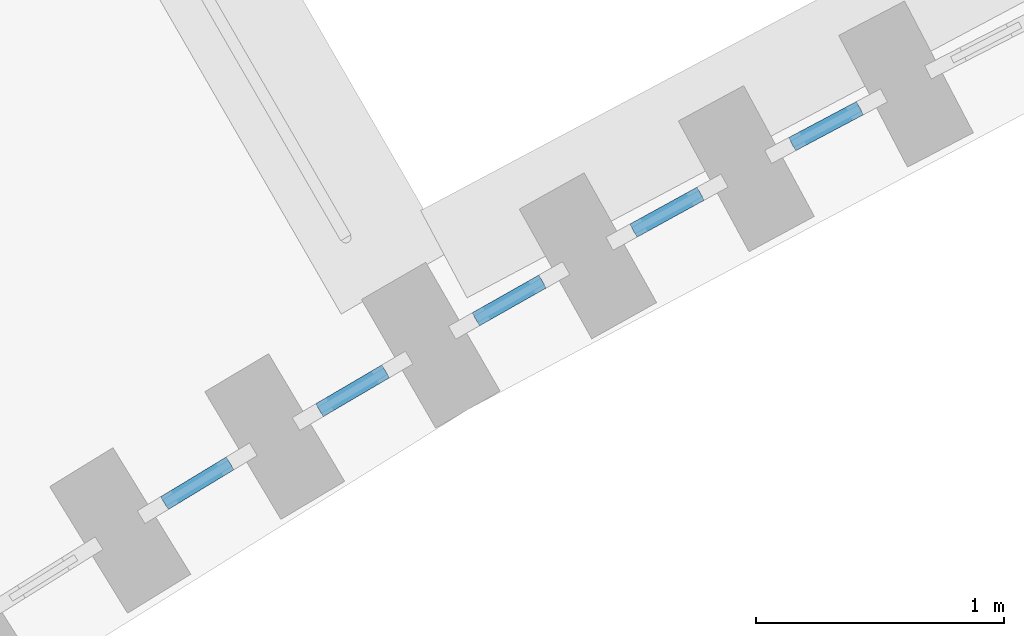
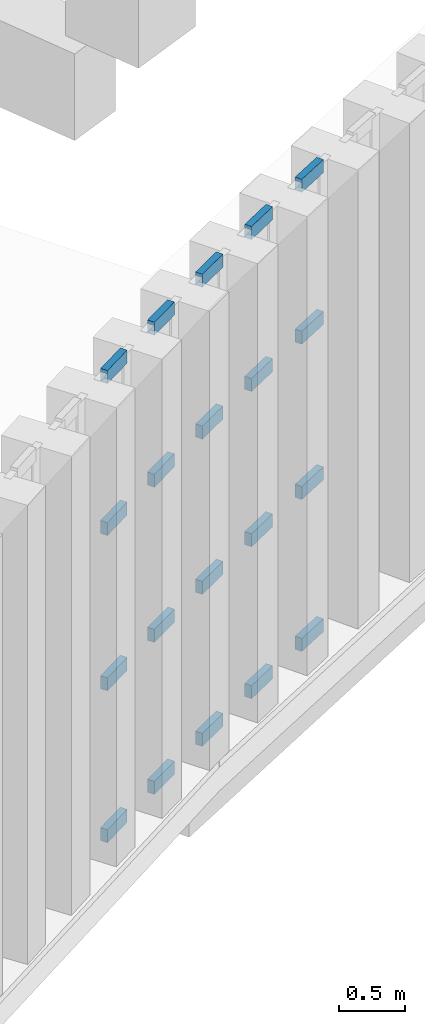
# One storey, part 31 of 112: 20 members, 5 elements without a shape of their own.
"""IFC4 building model written with IfcOpenShell, lengths in metres."""

from ifc_helpers import new_model, si_unit, direction, frame, origin, origin_2d, place, context, subcontext, project, spatial, rectangle, extrude, material, layer, layer_set, material_profile, profile_set, type_object, element, aggregate, save


model = new_model("IFC4")

# Units and contexts
model_context = context("Model", 3, precision=1e-05, world=origin(), true_north=direction((0.0, 1.0)))
body_context = subcontext(model_context, "Body", "Model", "MODEL_VIEW")
ifc_project = project(units=[si_unit("LENGTHUNIT", "METRE"), si_unit("AREAUNIT", "SQUARE_METRE"), si_unit("VOLUMEUNIT", "CUBIC_METRE"), si_unit("PLANEANGLEUNIT", "RADIAN"), si_unit("MASSUNIT", "GRAM", prefix="KILO")], contexts=[model_context])

# Site, building, storey
site_placement = place(None, origin())
site = spatial("IfcSite", under=ifc_project, at=site_placement, CompositionType="ELEMENT")
building_placement = place(site_placement, origin())
building = spatial("IfcBuilding", under=site, at=building_placement, Name="Lunette Opera House", CompositionType="ELEMENT")
storey_placement = place(building_placement, frame((0.0, 0.0, 6.0)))
storey = spatial("IfcBuildingStorey", under=building, at=storey_placement, Name="L01", CompositionType="ELEMENT", Elevation=6.0)

# Curtain wall, members
ifc_material_1 = material(Name="Aluminium", Category="aluminium")
ifc_layer = layer(ifc_material_1, 0.1201171875)
ifc_layer_set = layer_set([ifc_layer], Name="Aluminium")
curtain_wall_type = type_object("IfcCurtainWallType", Name="SLOT CURTAIN WALL", PredefinedType="NOTDEFINED", material=ifc_layer_set)
curtain_wall_1_placement = place(storey_placement, origin())
curtain_wall_1 = element("IfcCurtainWall", 1, at=curtain_wall_1_placement, inside=storey, type_object=curtain_wall_type, Name="Slot Curtain Wall CS014 L01", PredefinedType="NOTDEFINED")
ifc_material_2 = material(Name="Aluminium", Category="aluminium")
ifc_material_profile = material_profile(ifc_material_2, rectangle(XDim=0.06005859375, YDim=0.1201171875, at=origin_2d()), Name="TRANSOM 60 X 120")
ifc_profile_set = profile_set([ifc_material_profile], Name="Aluminium")
member_type = type_object("IfcMemberType", Name="TRANSOM 60 X 120", PredefinedType="USERDEFINED", material=ifc_profile_set)
member_1_placement = place(storey_placement, frame((68.7744140625, 44.655029296875, 0.030029296875), z_axis=(0.855123856729, 0.518423754908, 0.0), x_axis=(-0.518423754908, 0.855123856729, 0.0)))
member_1 = element("IfcMember", 2, at=member_1_placement, type_object=member_type, Name="FC-X2028 transom 1.1", ObjectType="TRANSOM", PredefinedType="USERDEFINED", context=body_context, shape_type="SweptSolid", body=[
    extrude(rectangle(XDim=0.06005859375, YDim=0.1201171875, at=origin_2d()), origin(), (0.0, 0.0, 1.0), 0.310302734375),
])
member_2_placement = place(storey_placement, frame((68.7744140625, 44.655029296875, 1.43310546875), z_axis=(0.855123856729, 0.518423754908, 0.0), x_axis=(-0.518423754908, 0.855123856729, 0.0)))
member_2 = element("IfcMember", 3, at=member_2_placement, type_object=member_type, Name="FC-X2028 transom 1.2", ObjectType="TRANSOM", PredefinedType="USERDEFINED", context=body_context, shape_type="SweptSolid", body=[
    extrude(rectangle(XDim=0.06005859375, YDim=0.1201171875, at=origin_2d()), origin(), (0.0, 0.0, 1.0), 0.310302734375),
])
member_3_placement = place(storey_placement, frame((68.7744140625, 44.655029296875, 2.866943359375), z_axis=(0.855123856729, 0.518423754908, 0.0), x_axis=(-0.518423754908, 0.855123856729, 0.0)))
member_3 = element("IfcMember", 4, at=member_3_placement, type_object=member_type, Name="FC-X2028 transom 1.3", ObjectType="TRANSOM", PredefinedType="USERDEFINED", context=body_context, shape_type="SweptSolid", body=[
    extrude(rectangle(XDim=0.06005859375, YDim=0.1201171875, at=origin_2d()), origin(), (0.0, 0.0, 1.0), 0.310302734375),
])
member_4_placement = place(storey_placement, frame((68.7744140625, 44.655029296875, 4.27001953125), z_axis=(0.855123856729, 0.518423754908, 0.0), x_axis=(-0.518423754908, 0.855123856729, 0.0)))
member_4 = element("IfcMember", 5, at=member_4_placement, type_object=member_type, Name="FC-X2028 transom 1.4", ObjectType="TRANSOM", PredefinedType="USERDEFINED", context=body_context, shape_type="SweptSolid", body=[
    extrude(rectangle(XDim=0.06005859375, YDim=0.1201171875, at=origin_2d()), origin(), (0.0, 0.0, 1.0), 0.310302734375),
])
aggregate(curtain_wall_1, [member_1, member_2, member_3, member_4])

curtain_wall_2_placement = place(storey_placement, origin())
curtain_wall_2 = element("IfcCurtainWall", 6, at=curtain_wall_2_placement, inside=storey, type_object=curtain_wall_type, Name="Slot Curtain Wall CS015 L01", PredefinedType="NOTDEFINED")
member_5_placement = place(storey_placement, frame((69.400634765625, 45.030517578125, 0.030029296875), z_axis=(0.862520326082, 0.506022417583, 0.0), x_axis=(-0.506022417583, 0.862520326082, 0.0)))
member_5 = element("IfcMember", 7, at=member_5_placement, type_object=member_type, Name="FC-X2030 transom 1.1", ObjectType="TRANSOM", PredefinedType="USERDEFINED", context=body_context, shape_type="SweptSolid", body=[
    extrude(rectangle(XDim=0.06005859375, YDim=0.1201171875, at=origin_2d()), origin(), (0.0, 0.0, 1.0), 0.310302734375),
])
member_6_placement = place(storey_placement, frame((69.400634765625, 45.030517578125, 1.43310546875), z_axis=(0.862520326082, 0.506022417583, 0.0), x_axis=(-0.506022417583, 0.862520326082, 0.0)))
member_6 = element("IfcMember", 8, at=member_6_placement, type_object=member_type, Name="FC-X2030 transom 1.2", ObjectType="TRANSOM", PredefinedType="USERDEFINED", context=body_context, shape_type="SweptSolid", body=[
    extrude(rectangle(XDim=0.06005859375, YDim=0.1201171875, at=origin_2d()), origin(), (0.0, 0.0, 1.0), 0.310302734375),
])
member_7_placement = place(storey_placement, frame((69.400634765625, 45.030517578125, 2.866943359375), z_axis=(0.862520326082, 0.506022417583, 0.0), x_axis=(-0.506022417583, 0.862520326082, 0.0)))
member_7 = element("IfcMember", 9, at=member_7_placement, type_object=member_type, Name="FC-X2030 transom 1.3", ObjectType="TRANSOM", PredefinedType="USERDEFINED", context=body_context, shape_type="SweptSolid", body=[
    extrude(rectangle(XDim=0.06005859375, YDim=0.1201171875, at=origin_2d()), origin(), (0.0, 0.0, 1.0), 0.310302734375),
])
member_8_placement = place(storey_placement, frame((69.400634765625, 45.030517578125, 4.27001953125), z_axis=(0.862520326082, 0.506022417583, 0.0), x_axis=(-0.506022417583, 0.862520326082, 0.0)))
member_8 = element("IfcMember", 10, at=member_8_placement, type_object=member_type, Name="FC-X2030 transom 1.4", ObjectType="TRANSOM", PredefinedType="USERDEFINED", context=body_context, shape_type="SweptSolid", body=[
    extrude(rectangle(XDim=0.06005859375, YDim=0.1201171875, at=origin_2d()), origin(), (0.0, 0.0, 1.0), 0.310302734375),
])
aggregate(curtain_wall_2, [member_5, member_6, member_7, member_8])

curtain_wall_3_placement = place(storey_placement, origin())
curtain_wall_3 = element("IfcCurtainWall", 11, at=curtain_wall_3_placement, inside=storey, type_object=curtain_wall_type, Name="Slot Curtain Wall CS016 L01", PredefinedType="NOTDEFINED")
member_9_placement = place(storey_placement, frame((70.0322265625, 45.397705078125, 0.030029296875), z_axis=(0.870224974821, 0.492654537376, 0.0), x_axis=(-0.492654537376, 0.870224974821, 0.0)))
member_9 = element("IfcMember", 12, at=member_9_placement, type_object=member_type, Name="FC-X2032 transom 1.1", ObjectType="TRANSOM", PredefinedType="USERDEFINED", context=body_context, shape_type="SweptSolid", body=[
    extrude(rectangle(XDim=0.06005859375, YDim=0.1201171875, at=origin_2d()), origin(), (0.0, 0.0, 1.0), 0.309814453125),
])
member_10_placement = place(storey_placement, frame((70.0322265625, 45.397705078125, 1.43310546875), z_axis=(0.870224974821, 0.492654537376, 0.0), x_axis=(-0.492654537376, 0.870224974821, 0.0)))
member_10 = element("IfcMember", 13, at=member_10_placement, type_object=member_type, Name="FC-X2032 transom 1.2", ObjectType="TRANSOM", PredefinedType="USERDEFINED", context=body_context, shape_type="SweptSolid", body=[
    extrude(rectangle(XDim=0.06005859375, YDim=0.1201171875, at=origin_2d()), origin(), (0.0, 0.0, 1.0), 0.309814453125),
])
member_11_placement = place(storey_placement, frame((70.0322265625, 45.397705078125, 2.866943359375), z_axis=(0.870224974821, 0.492654537376, 0.0), x_axis=(-0.492654537376, 0.870224974821, 0.0)))
member_11 = element("IfcMember", 14, at=member_11_placement, type_object=member_type, Name="FC-X2032 transom 1.3", ObjectType="TRANSOM", PredefinedType="USERDEFINED", context=body_context, shape_type="SweptSolid", body=[
    extrude(rectangle(XDim=0.06005859375, YDim=0.1201171875, at=origin_2d()), origin(), (0.0, 0.0, 1.0), 0.309814453125),
])
member_12_placement = place(storey_placement, frame((70.0322265625, 45.397705078125, 4.27001953125), z_axis=(0.870224974821, 0.492654537376, 0.0), x_axis=(-0.492654537376, 0.870224974821, 0.0)))
member_12 = element("IfcMember", 15, at=member_12_placement, type_object=member_type, Name="FC-X2032 transom 1.4", ObjectType="TRANSOM", PredefinedType="USERDEFINED", context=body_context, shape_type="SweptSolid", body=[
    extrude(rectangle(XDim=0.06005859375, YDim=0.1201171875, at=origin_2d()), origin(), (0.0, 0.0, 1.0), 0.309814453125),
])
aggregate(curtain_wall_3, [member_9, member_10, member_11, member_12])

curtain_wall_4_placement = place(storey_placement, origin())
curtain_wall_4 = element("IfcCurtainWall", 16, at=curtain_wall_4_placement, inside=storey, type_object=curtain_wall_type, Name="Slot Curtain Wall CS017 L01", PredefinedType="NOTDEFINED")
member_13_placement = place(storey_placement, frame((70.668701171875, 45.755859375, 0.030029296875), z_axis=(0.87659809462, 0.48122321277, 0.0), x_axis=(-0.48122321277, 0.87659809462, 0.0)))
member_13 = element("IfcMember", 17, at=member_13_placement, type_object=member_type, Name="FC-X2034 transom 1.1", ObjectType="TRANSOM", PredefinedType="USERDEFINED", context=body_context, shape_type="SweptSolid", body=[
    extrude(rectangle(XDim=0.06005859375, YDim=0.1201171875, at=origin_2d()), origin(), (0.0, 0.0, 1.0), 0.31005859375),
])
member_14_placement = place(storey_placement, frame((70.668701171875, 45.755859375, 1.43310546875), z_axis=(0.87659809462, 0.48122321277, 0.0), x_axis=(-0.48122321277, 0.87659809462, 0.0)))
member_14 = element("IfcMember", 18, at=member_14_placement, type_object=member_type, Name="FC-X2034 transom 1.2", ObjectType="TRANSOM", PredefinedType="USERDEFINED", context=body_context, shape_type="SweptSolid", body=[
    extrude(rectangle(XDim=0.06005859375, YDim=0.1201171875, at=origin_2d()), origin(), (0.0, 0.0, 1.0), 0.31005859375),
])
member_15_placement = place(storey_placement, frame((70.668701171875, 45.755859375, 2.866943359375), z_axis=(0.87659809462, 0.48122321277, 0.0), x_axis=(-0.48122321277, 0.87659809462, 0.0)))
member_15 = element("IfcMember", 19, at=member_15_placement, type_object=member_type, Name="FC-X2034 transom 1.3", ObjectType="TRANSOM", PredefinedType="USERDEFINED", context=body_context, shape_type="SweptSolid", body=[
    extrude(rectangle(XDim=0.06005859375, YDim=0.1201171875, at=origin_2d()), origin(), (0.0, 0.0, 1.0), 0.31005859375),
])
member_16_placement = place(storey_placement, frame((70.668701171875, 45.755859375, 4.27001953125), z_axis=(0.87659809462, 0.48122321277, 0.0), x_axis=(-0.48122321277, 0.87659809462, 0.0)))
member_16 = element("IfcMember", 20, at=member_16_placement, type_object=member_type, Name="FC-X2034 transom 1.4", ObjectType="TRANSOM", PredefinedType="USERDEFINED", context=body_context, shape_type="SweptSolid", body=[
    extrude(rectangle(XDim=0.06005859375, YDim=0.1201171875, at=origin_2d()), origin(), (0.0, 0.0, 1.0), 0.31005859375),
])
aggregate(curtain_wall_4, [member_13, member_14, member_15, member_16])

curtain_wall_5_placement = place(storey_placement, origin())
curtain_wall_5 = element("IfcCurtainWall", 21, at=curtain_wall_5_placement, inside=storey, type_object=curtain_wall_type, Name="Slot Curtain Wall CS018 L01", PredefinedType="NOTDEFINED")
member_17_placement = place(storey_placement, frame((71.31005859375, 46.105224609375, 0.030029296875), z_axis=(0.883136100726, 0.469116859209, 0.0), x_axis=(-0.469116859209, 0.883136100726, 0.0)))
member_17 = element("IfcMember", 22, at=member_17_placement, type_object=member_type, Name="FC-X2036 transom 1.1", ObjectType="TRANSOM", PredefinedType="USERDEFINED", context=body_context, shape_type="SweptSolid", body=[
    extrude(rectangle(XDim=0.06005859375, YDim=0.1201171875, at=origin_2d()), origin(), (0.0, 0.0, 1.0), 0.31005859375),
])
member_18_placement = place(storey_placement, frame((71.31005859375, 46.105224609375, 1.43310546875), z_axis=(0.883136100726, 0.469116859209, 0.0), x_axis=(-0.469116859209, 0.883136100726, 0.0)))
member_18 = element("IfcMember", 23, at=member_18_placement, type_object=member_type, Name="FC-X2036 transom 1.2", ObjectType="TRANSOM", PredefinedType="USERDEFINED", context=body_context, shape_type="SweptSolid", body=[
    extrude(rectangle(XDim=0.06005859375, YDim=0.1201171875, at=origin_2d()), origin(), (0.0, 0.0, 1.0), 0.31005859375),
])
member_19_placement = place(storey_placement, frame((71.31005859375, 46.105224609375, 2.866943359375), z_axis=(0.883136100726, 0.469116859209, 0.0), x_axis=(-0.469116859209, 0.883136100726, 0.0)))
member_19 = element("IfcMember", 24, at=member_19_placement, type_object=member_type, Name="FC-X2036 transom 1.3", ObjectType="TRANSOM", PredefinedType="USERDEFINED", context=body_context, shape_type="SweptSolid", body=[
    extrude(rectangle(XDim=0.06005859375, YDim=0.1201171875, at=origin_2d()), origin(), (0.0, 0.0, 1.0), 0.31005859375),
])
member_20_placement = place(storey_placement, frame((71.31005859375, 46.105224609375, 4.27001953125), z_axis=(0.883136100726, 0.469116859209, 0.0), x_axis=(-0.469116859209, 0.883136100726, 0.0)))
member_20 = element("IfcMember", 25, at=member_20_placement, type_object=member_type, Name="FC-X2036 transom 1.4", ObjectType="TRANSOM", PredefinedType="USERDEFINED", context=body_context, shape_type="SweptSolid", body=[
    extrude(rectangle(XDim=0.06005859375, YDim=0.1201171875, at=origin_2d()), origin(), (0.0, 0.0, 1.0), 0.31005859375),
])
aggregate(curtain_wall_5, [member_17, member_18, member_19, member_20])

save(model, "model.ifc")
